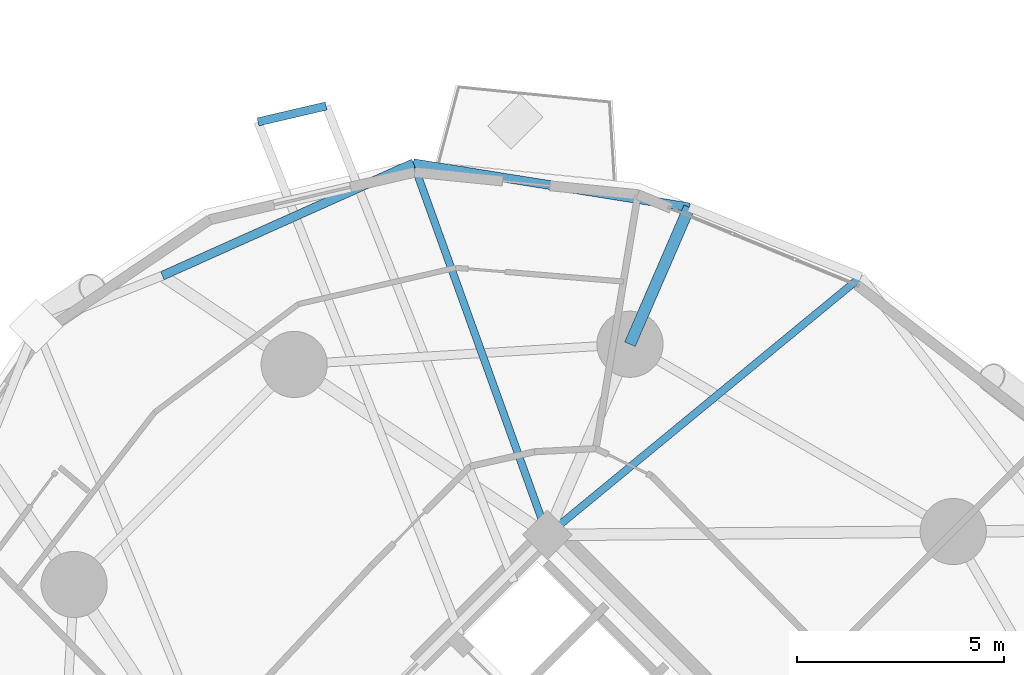
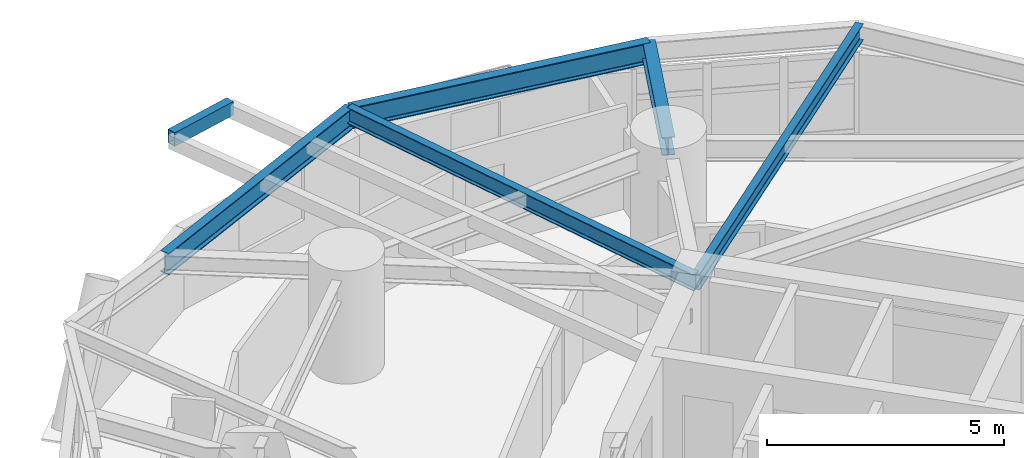
# One storey, part 6 of 20: 6 beams.
"""IFC4 building model written with IfcOpenShell, lengths in metres."""

from ifc_helpers import new_model, si_unit, direction, frame, origin, origin_2d, place, context, subcontext, project, spatial, hollow_rectangle, i_section, extrude, material, material_profile, profile_set, type_object, element, save


model = new_model("IFC4")

# Units and contexts
model_context = context("Model", 3, precision=1e-05, world=origin(), true_north=direction((0.0, 1.0)))
body_context = subcontext(model_context, "Body", "Model", "MODEL_VIEW")
ifc_project = project(units=[si_unit("LENGTHUNIT", "METRE"), si_unit("AREAUNIT", "SQUARE_METRE"), si_unit("VOLUMEUNIT", "CUBIC_METRE"), si_unit("PLANEANGLEUNIT", "RADIAN"), si_unit("MASSUNIT", "GRAM", prefix="KILO")], contexts=[model_context])

# Site, building, storey
site_placement = place(None, origin())
site = spatial("IfcSite", under=ifc_project, at=site_placement, CompositionType="ELEMENT")
building_placement = place(site_placement, origin())
building = spatial("IfcBuilding", under=site, at=building_placement, Name="Cununo Teusaquillo Station Towers", CompositionType="ELEMENT")
storey_placement = place(building_placement, frame((0.0, 0.0, 39.4599609375)))
storey = spatial("IfcBuildingStorey", under=building, at=storey_placement, Name="L11", CompositionType="ELEMENT", Elevation=39.4599609375)

# Beams
ifc_material_1 = material(Name="Steel ASTM A572 Grade 50", Category="steel")
ifc_material_profile_1 = material_profile(ifc_material_1, i_section(OverallWidth=0.180908203125, OverallDepth=0.4169921875, WebThickness=0.010986328125, FlangeThickness=0.018310546875, FilletRadius=0.012939453125, at=origin_2d()), Name="W16X57")
ifc_profile_set_1 = profile_set([ifc_material_profile_1], Name="Steel ASTM A572 Grade 50")
beam_type_1 = type_object("IfcBeamType", Name="BM-JOIST-1", PredefinedType="JOIST", material=ifc_profile_set_1)
beam_1_placement = place(storey_placement, frame((56.29443359375, 33.024169921875, 2.441650390625), z_axis=(0.772192093976, 0.635389148475, 0.0), x_axis=(-0.635389148475, 0.772192093976, 0.0)))
element("IfcBeam", 1, at=beam_1_placement, inside=storey, type_object=beam_type_1, Name="L11 Tower B Radial Spandrel Joist V01", PredefinedType="JOIST", context=body_context, shape_type="SweptSolid", body=[
    extrude(i_section(OverallWidth=0.180908203125, OverallDepth=0.4169921875, WebThickness=0.010986328125, FlangeThickness=0.018310546875, FilletRadius=0.012939453125, at=origin_2d()), origin(), (0.0, 0.0, 1.0), 9.82080078125),
])
beam_2_placement = place(storey_placement, frame((56.29443359375, 33.024169921875, 2.441650390625), z_axis=(-0.33906787056, 0.940761914171, 0.0), x_axis=(-0.940761914171, -0.33906787056, 0.0)))
element("IfcBeam", 2, at=beam_2_placement, inside=storey, type_object=beam_type_1, Name="L11 Tower B Radial Spandrel Joist V03", PredefinedType="JOIST", context=body_context, shape_type="SweptSolid", body=[
    extrude(i_section(OverallWidth=0.180908203125, OverallDepth=0.4169921875, WebThickness=0.010986328125, FlangeThickness=0.018310546875, FilletRadius=0.012939453125, at=origin_2d()), origin(), (0.0, 0.0, 1.0), 9.552734375),
])
ifc_material_2 = material(Name="Steel ASTM A572 Grade 50", Category="steel")
ifc_material_profile_2 = material_profile(ifc_material_2, i_section(OverallWidth=0.280029296875, OverallDepth=0.462890625, WebThickness=0.0107421875, FlangeThickness=0.017333984375, FilletRadius=0.013916015625, at=origin_2d()), Name="W18X76")
ifc_profile_set_2 = profile_set([ifc_material_profile_2], Name="Steel ASTM A572 Grade 50")
beam_type_2 = type_object("IfcBeamType", Name="BM-RAD-G1", PredefinedType="BEAM", material=ifc_profile_set_2)
beam_3_placement = place(storey_placement, frame((58.291015625, 37.63525390625, 2.41845703125), z_axis=(0.397396574727, 0.91764697046, 0.0), x_axis=(-0.91764697046, 0.397396574727, 0.0)))
element("IfcBeam", 3, at=beam_3_placement, inside=storey, type_object=beam_type_2, Name="L11 Tower B Perimeter Overhang Girder 02B", PredefinedType="BEAM", context=body_context, shape_type="SweptSolid", body=[
    extrude(i_section(OverallWidth=0.280029296875, OverallDepth=0.462890625, WebThickness=0.0107421875, FlangeThickness=0.017333984375, FilletRadius=0.013916015625, at=origin_2d()), origin(), (0.0, 0.0, 1.0), 3.60693359375),
])
ifc_material_3 = material(Name="Steel ASTM A572 Grade 50", Category="steel")
ifc_material_profile_3 = material_profile(ifc_material_3, i_section(OverallWidth=0.214111328125, OverallDepth=0.549072265625, WebThickness=0.0146484375, FlangeThickness=0.023681640625, FilletRadius=0.014892578125, at=origin_2d()), Name="W21X93")
ifc_profile_set_3 = profile_set([ifc_material_profile_3], Name="Steel ASTM A572 Grade 50")
beam_type_3 = type_object("IfcBeamType", Name="BM-RING-Z1", PredefinedType="SPANDREL", material=ifc_profile_set_3)
beam_4_placement = place(storey_placement, frame((59.724365234375, 40.945068359375, 2.37548828125), z_axis=(-0.987466335344, 0.157829770834, 0.0), x_axis=(-0.157829770834, -0.987466335344, 0.0)))
element("IfcBeam", 4, at=beam_4_placement, inside=storey, type_object=beam_type_3, Name="L11 Tower B Spandrel Ring Beam 03", PredefinedType="SPANDREL", context=body_context, shape_type="SweptSolid", body=[
    extrude(i_section(OverallWidth=0.214111328125, OverallDepth=0.549072265625, WebThickness=0.0146484375, FlangeThickness=0.023681640625, FilletRadius=0.014892578125, at=origin_2d()), origin(), (0.0, 0.0, 1.0), 6.753662109375),
])
beam_5_placement = place(storey_placement, frame((53.055419921875, 42.010986328125, 2.37548828125), z_axis=(-0.912588695836, -0.408878798951, 0.0), x_axis=(0.408878798951, -0.912588695836, 0.0)))
element("IfcBeam", 5, at=beam_5_placement, inside=storey, type_object=beam_type_3, Name="L11 Tower B Spandrel Ring Beam 04", PredefinedType="SPANDREL", context=body_context, shape_type="SweptSolid", body=[
    extrude(i_section(OverallWidth=0.214111328125, OverallDepth=0.549072265625, WebThickness=0.0146484375, FlangeThickness=0.023681640625, FilletRadius=0.014892578125, at=origin_2d()), origin(), (0.0, 0.0, 1.0), 6.64990234375),
])
ifc_material_4 = material(Name="Steel EN 10025-2 S355J2", Category="steel")
ifc_material_profile_4 = material_profile(ifc_material_4, hollow_rectangle(XDim=0.199951171875, YDim=0.35009765625, WallThickness=0.013916015625, at=origin_2d()), Name="RHS 350x200x14")
ifc_profile_set_4 = profile_set([ifc_material_profile_4], Name="Steel EN 10025-2 S355J2")
beam_type_4 = type_object("IfcBeamType", Name="BM-STAIR-TRIM", PredefinedType="BEAM", material=ifc_profile_set_4)
beam_6_placement = place(storey_placement, frame((50.947021484375, 43.394775390625, 2.525146484375), z_axis=(-0.973831635582, -0.227270643814, 0.0), x_axis=(0.227270643814, -0.973831635582, 0.0)))
element("IfcBeam", 6, at=beam_6_placement, inside=storey, type_object=beam_type_4, Name="L11 Tower B Balcony Edge Trimmer Beam 1", PredefinedType="BEAM", context=body_context, shape_type="SweptSolid", body=[
    extrude(hollow_rectangle(XDim=0.199951171875, YDim=0.35009765625, WallThickness=0.013916015625, at=origin_2d()), origin(), (0.0, 0.0, 1.0), 1.69287109375),
])

save(model, "model.ifc")
